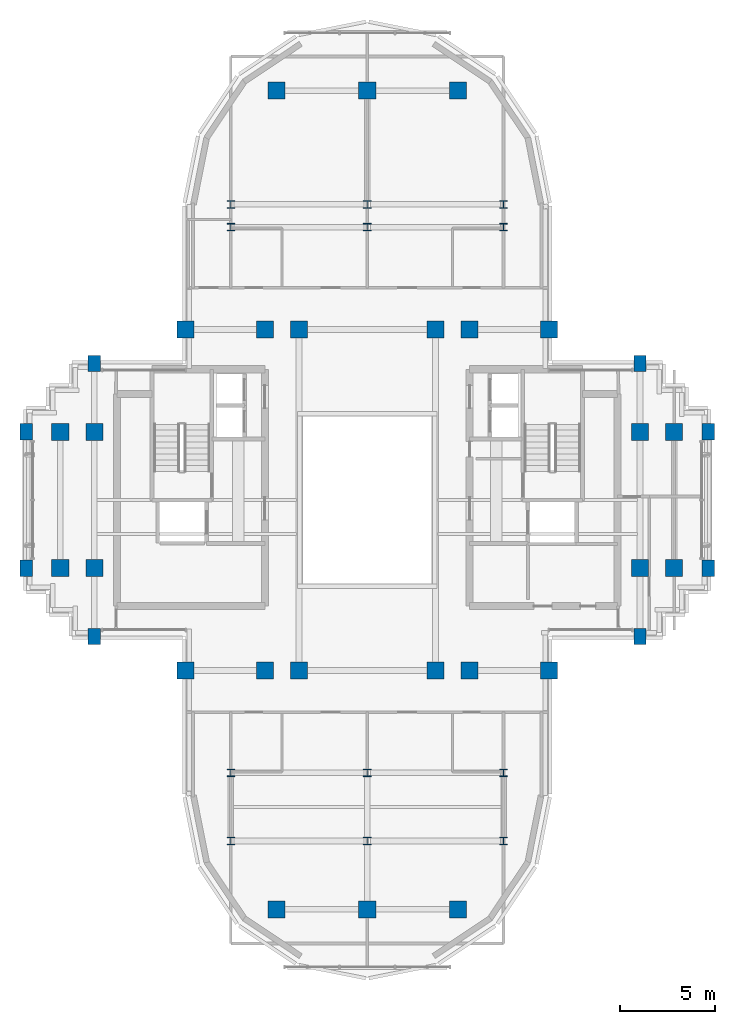
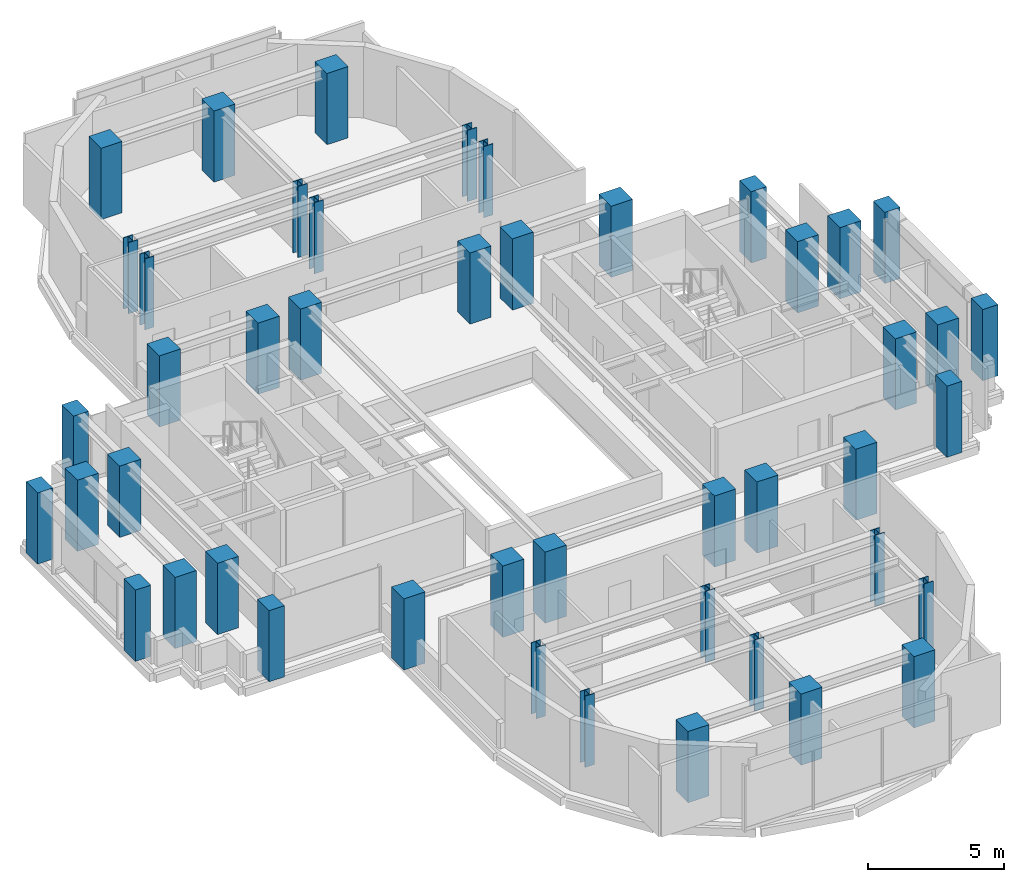
# One storey, part 1 of 11: 46 columns.
"""IFC4 building model written with IfcOpenShell, lengths in metres."""

from ifc_helpers import new_model, si_unit, direction, frame, origin, origin_2d, place, context, subcontext, project, spatial, rectangle, i_section, extrude, source, transform, mapped, material, material_profile, profile_set, type_object, element, save


model = new_model("IFC4")

# Units and contexts
model_context = context("Model", 3, precision=1e-05, world=origin(), true_north=direction((0.0, 1.0)))
body_context = subcontext(model_context, "Body", "Model", "MODEL_VIEW")
ifc_project = project(units=[si_unit("LENGTHUNIT", "METRE"), si_unit("AREAUNIT", "SQUARE_METRE"), si_unit("VOLUMEUNIT", "CUBIC_METRE"), si_unit("PLANEANGLEUNIT", "RADIAN"), si_unit("MASSUNIT", "GRAM", prefix="KILO")], contexts=[model_context])

# Site, building, storey
site_placement = place(None, origin())
site = spatial("IfcSite", under=ifc_project, at=site_placement, CompositionType="ELEMENT")
building_placement = place(site_placement, origin())
building = spatial("IfcBuilding", under=site, at=building_placement, Name="Keilestroom Media Tower", CompositionType="ELEMENT")
storey_placement = place(building_placement, frame((0.0, 0.0, 197.800048828125)))
storey = spatial("IfcBuildingStorey", under=building, at=storey_placement, Name="L54", CompositionType="ELEMENT", Elevation=197.800048828125)

# Columns
ifc_material_1 = material(Name="Precast concrete C40/50", Category="concrete")
ifc_material_profile_1 = material_profile(ifc_material_1, rectangle(XDim=0.64990234375, YDim=0.85009765625, at=origin_2d()), Name="PC 850x650")
ifc_profile_set_1 = profile_set([ifc_material_profile_1], Name="Precast concrete C40/50")
column_type_1 = type_object("IfcColumnType", Name="Structural-Column-PC-850x650", PredefinedType="COLUMN", material=ifc_profile_set_1)
shared_shape_1 = source(origin(), body_context, "Body", "SweptSolid", [
    extrude(rectangle(XDim=0.64990234375, YDim=0.85009765625, at=origin_2d()), origin(), (0.0, 0.0, 1.0), 3.199951171875),
])
for number, where, z_axis, x_axis, name in (
    (1, (-18.0, -3.60009765625, 0.0), (0.0, 0.0, 1.0), (1.0, 0.0, 0.0), "L54 Column PC-2 (-18.0,-3.6)"),
    (2, (-18.0, 3.60009765625, 0.0), (0.0, 0.0, 1.0), (1.0, 0.0, 0.0), "L54 Column PC-2 (-18.0,+3.6)"),
    (3, (-14.39990234375, -7.199951171875, 0.0), (0.0, 0.0, 1.0), (1.0, 0.0, 0.0), "L54 Column PC-2 (-14.4,-7.2)"),
    (4, (-14.39990234375, 7.199951171875, 0.0), (0.0, 0.0, 1.0), (1.0, 0.0, 0.0), "L54 Column PC-2 (-14.4,+7.2)"),
    (5, (14.39990234375, -7.199951171875, 0.0), (0.0, 0.0, 1.0), (1.0, 0.0, 0.0), "L54 Column PC-2 (+14.4,-7.2)"),
    (6, (14.39990234375, 7.199951171875, 0.0), (0.0, 0.0, 1.0), (1.0, 0.0, 0.0), "L54 Column PC-2 (+14.4,+7.2)"),
    (7, (18.0, -3.60009765625, 0.0), (0.0, 0.0, 1.0), (1.0, 0.0, 0.0), "L54 Column PC-2 (+18.0,-3.6)"),
    (8, (18.0, 3.60009765625, 0.0), (0.0, 0.0, 1.0), (1.0, 0.0, 0.0), "L54 Column PC-2 (+18.0,+3.6)"),
):
    element("IfcColumn", number, at=place(storey_placement, frame(where, z_axis=z_axis, x_axis=x_axis)), inside=storey, type_object=column_type_1, Name=name, PredefinedType="COLUMN", context=body_context, shape_type="MappedRepresentation", body=[
        mapped(shared_shape_1, transform((0.0, 0.0, 0.0), x_axis=(1.0, 0.0, 0.0), y_axis=(0.0, 1.0, 0.0), z_axis=(0.0, 0.0, 1.0), scale=1.0)),
    ])
ifc_material_2 = material(Name="Concrete C55/67", Category="concrete")
ifc_material_profile_2 = material_profile(ifc_material_2, rectangle(XDim=0.89990234375, YDim=0.89990234375, at=origin_2d()), Name="RC 900x900")
ifc_profile_set_2 = profile_set([ifc_material_profile_2], Name="Concrete C55/67")
column_type_2 = type_object("IfcColumnType", Name="Structural-Column-RC-900x900", PredefinedType="COLUMN", material=ifc_profile_set_2)
shared_shape_2 = source(origin(), body_context, "Body", "SweptSolid", [
    extrude(rectangle(XDim=0.89990234375, YDim=0.89990234375, at=origin_2d()), origin(), (0.0, 0.0, 1.0), 3.199951171875),
])
for number, where, z_axis, x_axis, name in (
    (9, (-16.199951171875, -3.60009765625, 0.0), (0.0, 0.0, 1.0), (1.0, 0.0, 0.0), "L54 Column MC-4 (-16.2,-3.6)"),
    (10, (-16.199951171875, 3.60009765625, 0.0), (0.0, 0.0, 1.0), (1.0, 0.0, 0.0), "L54 Column MC-4 (-16.2,+3.6)"),
    (11, (-14.39990234375, -3.60009765625, 0.0), (0.0, 0.0, 1.0), (1.0, 0.0, 0.0), "L54 Column MC-4 (-14.4,-3.6)"),
    (12, (-14.39990234375, 3.60009765625, 0.0), (0.0, 0.0, 1.0), (1.0, 0.0, 0.0), "L54 Column MC-4 (-14.4,+3.6)"),
    (13, (-9.60009765625, -9.0, 0.0), (0.0, 0.0, 1.0), (1.0, 0.0, 0.0), "L54 Column MC-4 (-9.6,-9.0)"),
    (14, (-9.60009765625, 9.0, 0.0), (0.0, 0.0, 1.0), (1.0, 0.0, 0.0), "L54 Column MC-4 (-9.6,+9.0)"),
    (15, (-5.39990234375, -9.0, 0.0), (0.0, 0.0, 1.0), (1.0, 0.0, 0.0), "L54 Column MC-4 (-5.4,-9.0)"),
    (16, (-5.39990234375, 9.0, 0.0), (0.0, 0.0, 1.0), (1.0, 0.0, 0.0), "L54 Column MC-4 (-5.4,+9.0)"),
    (17, (-4.800048828125, -21.60009765625, 0.0), (0.0, 0.0, 1.0), (1.0, 0.0, 0.0), "L54 Column MC-4 (-4.8,-21.6)"),
    (18, (-4.800048828125, 21.60009765625, 0.0), (0.0, 0.0, 1.0), (1.0, 0.0, 0.0), "L54 Column MC-4 (-4.8,+21.6)"),
    (19, (-3.60009765625, -9.0, 0.0), (0.0, 0.0, 1.0), (1.0, 0.0, 0.0), "L54 Column MC-4 (-3.6,-9.0)"),
    (20, (-3.60009765625, 9.0, 0.0), (0.0, 0.0, 1.0), (1.0, 0.0, 0.0), "L54 Column MC-4 (-3.6,+9.0)"),
    (21, (0.0, -21.60009765625, 0.0), (0.0, 0.0, 1.0), (1.0, 0.0, 0.0), "L54 Column MC-4 (+0.0,-21.6)"),
    (22, (0.0, 21.60009765625, 0.0), (0.0, 0.0, 1.0), (1.0, 0.0, 0.0), "L54 Column MC-4 (+0.0,+21.6)"),
    (23, (3.60009765625, -9.0, 0.0), (0.0, 0.0, 1.0), (1.0, 0.0, 0.0), "L54 Column MC-4 (+3.6,-9.0)"),
    (24, (3.60009765625, 9.0, 0.0), (0.0, 0.0, 1.0), (1.0, 0.0, 0.0), "L54 Column MC-4 (+3.6,+9.0)"),
    (25, (4.800048828125, -21.60009765625, 0.0), (0.0, 0.0, 1.0), (1.0, 0.0, 0.0), "L54 Column MC-4 (+4.8,-21.6)"),
    (26, (4.800048828125, 21.60009765625, 0.0), (0.0, 0.0, 1.0), (1.0, 0.0, 0.0), "L54 Column MC-4 (+4.8,+21.6)"),
    (27, (5.39990234375, -9.0, 0.0), (0.0, 0.0, 1.0), (1.0, 0.0, 0.0), "L54 Column MC-4 (+5.4,-9.0)"),
    (28, (5.39990234375, 9.0, 0.0), (0.0, 0.0, 1.0), (1.0, 0.0, 0.0), "L54 Column MC-4 (+5.4,+9.0)"),
    (29, (9.60009765625, -9.0, 0.0), (0.0, 0.0, 1.0), (1.0, 0.0, 0.0), "L54 Column MC-4 (+9.6,-9.0)"),
    (30, (9.60009765625, 9.0, 0.0), (0.0, 0.0, 1.0), (1.0, 0.0, 0.0), "L54 Column MC-4 (+9.6,+9.0)"),
    (31, (14.39990234375, -3.60009765625, 0.0), (0.0, 0.0, 1.0), (1.0, 0.0, 0.0), "L54 Column MC-4 (+14.4,-3.6)"),
    (32, (14.39990234375, 3.60009765625, 0.0), (0.0, 0.0, 1.0), (1.0, 0.0, 0.0), "L54 Column MC-4 (+14.4,+3.6)"),
    (33, (16.199951171875, -3.60009765625, 0.0), (0.0, 0.0, 1.0), (1.0, 0.0, 0.0), "L54 Column MC-4 (+16.2,-3.6)"),
    (34, (16.199951171875, 3.60009765625, 0.0), (0.0, 0.0, 1.0), (1.0, 0.0, 0.0), "L54 Column MC-4 (+16.2,+3.6)"),
):
    element("IfcColumn", number, at=place(storey_placement, frame(where, z_axis=z_axis, x_axis=x_axis)), inside=storey, type_object=column_type_2, Name=name, PredefinedType="COLUMN", context=body_context, shape_type="MappedRepresentation", body=[
        mapped(shared_shape_2, transform((0.0, 0.0, 0.0), x_axis=(1.0, 0.0, 0.0), y_axis=(0.0, 1.0, 0.0), z_axis=(0.0, 0.0, 1.0), scale=1.0)),
    ])
ifc_material_3 = material(Name="Steel S355", Category="steel")
ifc_material_profile_3 = material_profile(ifc_material_3, i_section(OverallWidth=0.39794921875, OverallDepth=0.386962890625, WebThickness=0.017578125, FlangeThickness=0.028076171875, at=origin_2d()), Name="HD 400x262")
ifc_profile_set_3 = profile_set([ifc_material_profile_3], Name="Steel S355")
column_type_3 = type_object("IfcColumnType", Name="Structural-Column-HD-400x262", PredefinedType="COLUMN", material=ifc_profile_set_3)
shared_shape_3 = source(origin(), body_context, "Body", "SweptSolid", [
    extrude(i_section(OverallWidth=0.39794921875, OverallDepth=0.386962890625, WebThickness=0.017578125, FlangeThickness=0.028076171875, at=origin_2d()), origin(), (0.0, 0.0, 1.0), 3.199951171875),
])
for number, where, z_axis, x_axis, name in (
    (35, (-7.199951171875, -18.0, 0.0), (0.0, 0.0, 1.0), (1.0, 0.0, 0.0), "L54 Column SC-4 (-7.2,-18.0)"),
    (36, (-7.199951171875, -14.39990234375, 0.0), (0.0, 0.0, 1.0), (1.0, 0.0, 0.0), "L54 Column SC-4 (-7.2,-14.4)"),
    (37, (-7.199951171875, 14.39990234375, 0.0), (0.0, 0.0, 1.0), (1.0, 0.0, 0.0), "L54 Column SC-4 (-7.2,+14.4)"),
    (38, (-7.199951171875, 15.60009765625, 0.0), (0.0, 0.0, 1.0), (1.0, 0.0, 0.0), "L54 Column SC-4 (-7.2,+15.6)"),
    (39, (0.0, -18.0, 0.0), (0.0, 0.0, 1.0), (1.0, 0.0, 0.0), "L54 Column SC-4 (+0.0,-18.0)"),
    (40, (0.0, -14.39990234375, 0.0), (0.0, 0.0, 1.0), (1.0, 0.0, 0.0), "L54 Column SC-4 (+0.0,-14.4)"),
    (41, (0.0, 14.39990234375, 0.0), (0.0, 0.0, 1.0), (1.0, 0.0, 0.0), "L54 Column SC-4 (+0.0,+14.4)"),
    (42, (0.0, 15.60009765625, 0.0), (0.0, 0.0, 1.0), (1.0, 0.0, 0.0), "L54 Column SC-4 (+0.0,+15.6)"),
    (43, (7.199951171875, -18.0, 0.0), (0.0, 0.0, 1.0), (1.0, 0.0, 0.0), "L54 Column SC-4 (+7.2,-18.0)"),
    (44, (7.199951171875, -14.39990234375, 0.0), (0.0, 0.0, 1.0), (1.0, 0.0, 0.0), "L54 Column SC-4 (+7.2,-14.4)"),
    (45, (7.199951171875, 14.39990234375, 0.0), (0.0, 0.0, 1.0), (1.0, 0.0, 0.0), "L54 Column SC-4 (+7.2,+14.4)"),
    (46, (7.199951171875, 15.60009765625, 0.0), (0.0, 0.0, 1.0), (1.0, 0.0, 0.0), "L54 Column SC-4 (+7.2,+15.6)"),
):
    element("IfcColumn", number, at=place(storey_placement, frame(where, z_axis=z_axis, x_axis=x_axis)), inside=storey, type_object=column_type_3, Name=name, PredefinedType="COLUMN", context=body_context, shape_type="MappedRepresentation", body=[
        mapped(shared_shape_3, transform((0.0, 0.0, 0.0), x_axis=(1.0, 0.0, 0.0), y_axis=(0.0, 1.0, 0.0), z_axis=(0.0, 0.0, 1.0), scale=1.0)),
    ])

save(model, "model.ifc")
